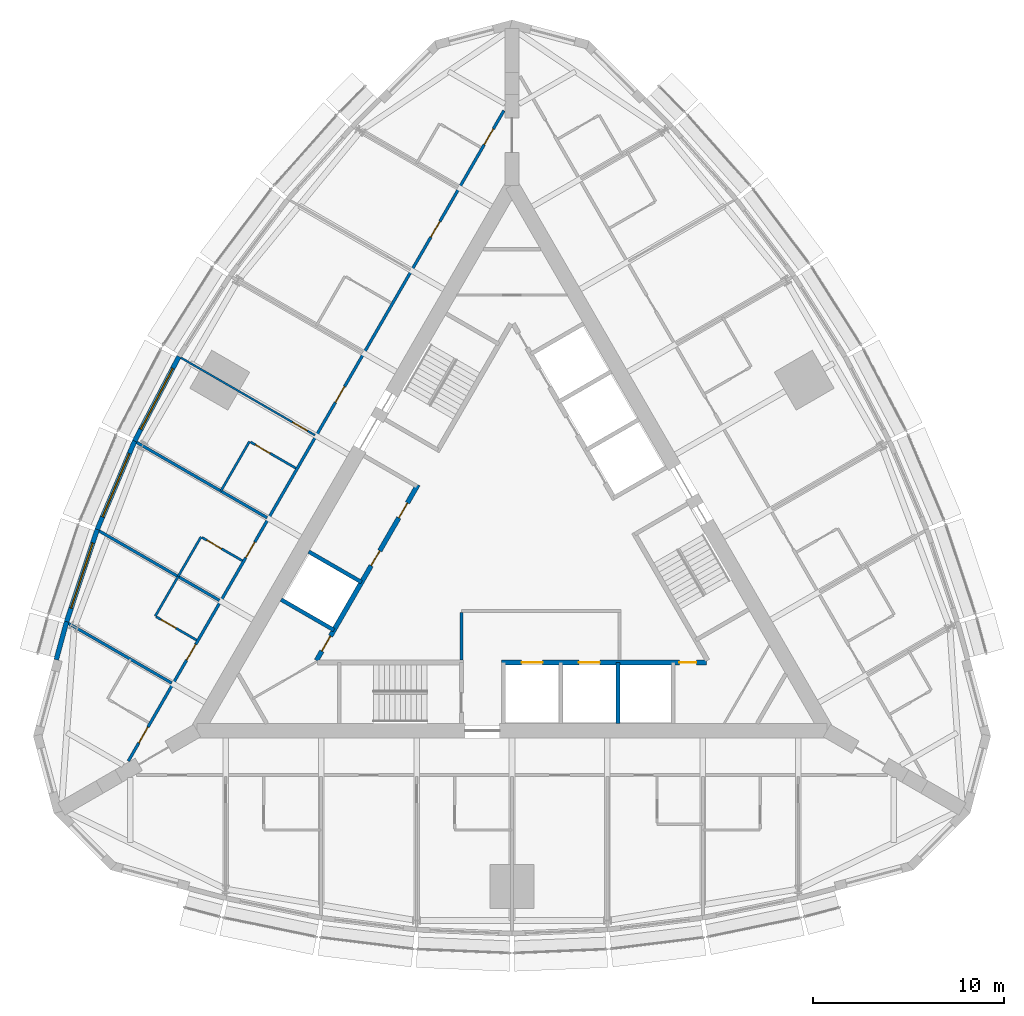
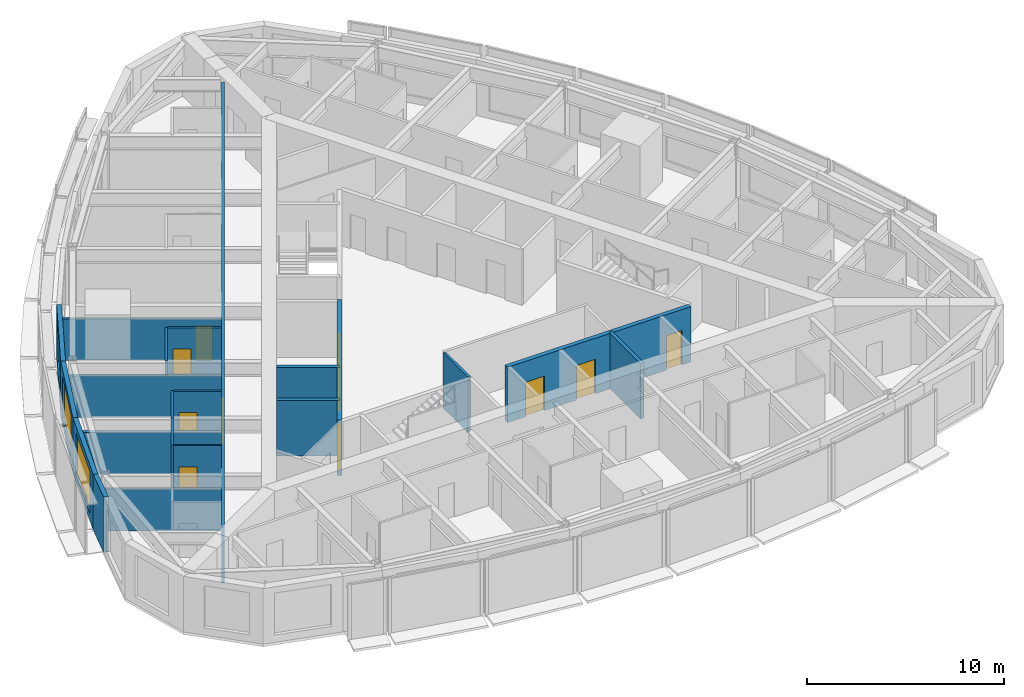
# One storey, part 10 of 15: 21 walls, 16 doors, 3 windows, 19 openings.
"""IFC4 building model written with IfcOpenShell, lengths in metres."""

from ifc_helpers import new_model, si_unit, direction, frame, frame_2d, origin, place, context, subcontext, project, spatial, rectangle, extrude, material, layer, layer_set, type_object, element, fill, save


model = new_model("IFC4")

# Units and contexts
model_context = context("Model", 3, precision=1e-05, world=origin(), true_north=direction((0.0, 1.0)))
body_context = subcontext(model_context, "Body", "Model", "MODEL_VIEW")
ifc_project = project(units=[si_unit("LENGTHUNIT", "METRE"), si_unit("AREAUNIT", "SQUARE_METRE"), si_unit("VOLUMEUNIT", "CUBIC_METRE"), si_unit("PLANEANGLEUNIT", "RADIAN"), si_unit("MASSUNIT", "GRAM", prefix="KILO")], contexts=[model_context])

# Site, building, storey
site_placement = place(None, origin())
site = spatial("IfcSite", under=ifc_project, at=site_placement, CompositionType="ELEMENT")
building_placement = place(site_placement, origin())
building = spatial("IfcBuilding", under=site, at=building_placement, Name="Trikona Tower", CompositionType="ELEMENT")
storey_placement = place(building_placement, frame((0.0, 0.0, 218.89990234375)))
storey = spatial("IfcBuildingStorey", under=building, at=storey_placement, Name="L58", CompositionType="ELEMENT", Elevation=218.89990234375)

# Wall
ifc_material_1 = material(Name="Metal stud and cement board", Category="gypsum")
ifc_layer_1 = layer(ifc_material_1, 0.1201171875)
ifc_layer_set_1 = layer_set([ifc_layer_1], Name="Bathroom wall 120")
wall_type_1 = type_object("IfcWallType", Name="Bathroom wall 120", PredefinedType="PLUMBINGWALL", material=ifc_layer_set_1)
wall_1_placement = place(storey_placement, frame((-13.75341796875, 5.631103515625, 0.0), z_axis=(0.0, 0.0, 1.0), x_axis=(-0.499990139034, -0.866031096941, 0.0)))
element("IfcWall", 1, at=wall_1_placement, inside=storey, type_object=wall_type_1, Name="Bathroom wall 5813.1", PredefinedType="PLUMBINGWALL", context=body_context, shape_type="SweptSolid", body=[
    extrude(rectangle(XDim=3.0, YDim=0.1201171875, at=frame_2d((1.5, 0.0))), origin(), (0.0, 0.0, 1.0), 3.43505859375),
])

# Wall, opening, door
wall_2_placement = place(storey_placement, frame((-11.32861328125, 4.231201171875, 0.0), z_axis=(0.0, 0.0, 1.0), x_axis=(-0.866035715982, 0.499982138324, 0.0)))
wall_2 = element("IfcWall", 2, at=wall_2_placement, inside=storey, type_object=wall_type_1, Name="Bathroom wall 5813.1", PredefinedType="PLUMBINGWALL", context=body_context, shape_type="SweptSolid", body=[
    extrude(rectangle(XDim=2.73974609375, YDim=0.1201171875, at=frame_2d((1.369873046875, 0.0))), origin(), (0.0, 0.0, 1.0), 3.43505859375),
])
opening_1_placement = place(wall_2_placement, frame((1.550048828125, 0.0, 0.0)))
opening_1 = element("IfcOpeningElement", 3, at=opening_1_placement, cuts=wall_2, Name="Opening D2", PredefinedType="OPENING", context=body_context, shape_type="SweptSolid", body=[
    extrude(rectangle(XDim=0.89990234375, YDim=2.1298828125, at=frame_2d((0.449951171875, 1.06494140625))), frame((0.0, 0.070068359375, 0.0), z_axis=(0.0, -1.0, 0.0), x_axis=(1.0, 0.0, 0.0)), (0.0, 0.0, 1.0), 0.14013671875),
])
ifc_material_2 = material(Name="Steel door frame with solid-core timber leaf", Category="steel")
door_type_1 = type_object("IfcDoorType", Name="Bathroom door 900x2130", OperationType="SLIDING_TO_LEFT", PredefinedType="DOOR", material=ifc_material_2)
door_1_placement = place(opening_1_placement, origin())
door_1 = element("IfcDoor", 4, at=door_1_placement, inside=storey, type_object=door_type_1, Name="Bathroom door 5813.1", OperationType="SLIDING_TO_LEFT", OverallHeight=2.1298828125, OverallWidth=0.89990234375, PredefinedType="DOOR", context=body_context, shape_type="SweptSolid", body=[
    extrude(rectangle(XDim=0.89990234375, YDim=2.1298828125, at=frame_2d((0.449951171875, 1.06494140625))), frame((0.0, 0.02490234375, 0.0), z_axis=(0.0, -1.0, 0.0), x_axis=(1.0, 0.0, 0.0)), (0.0, 0.0, 1.0), 0.050048828125),
])
fill(opening_1, door_1)

# Wall
wall_3_placement = place(storey_placement, frame((-16.29345703125, 0.63134765625, 0.0), z_axis=(0.0, 0.0, 1.0), x_axis=(-0.500001309137, -0.866024647952, 0.0)))
element("IfcWall", 5, at=wall_3_placement, inside=storey, type_object=wall_type_1, Name="Bathroom wall 5814", PredefinedType="PLUMBINGWALL", context=body_context, shape_type="SweptSolid", body=[
    extrude(rectangle(XDim=2.39990234375, YDim=0.1201171875, at=frame_2d((1.199951171875, 0.0))), origin(), (0.0, 0.0, 1.0), 3.43505859375),
])

# Wall, opening, door
wall_4_placement = place(storey_placement, frame((-14.12841796875, -0.61865234375, 0.0), z_axis=(0.0, 0.0, 1.0), x_axis=(-0.866048967903, 0.499959183527, 0.0)))
wall_4 = element("IfcWall", 6, at=wall_4_placement, inside=storey, type_object=wall_type_1, Name="Bathroom wall 5814", PredefinedType="PLUMBINGWALL", context=body_context, shape_type="SweptSolid", body=[
    extrude(rectangle(XDim=2.440185546875, YDim=0.1201171875, at=frame_2d((1.22021484375, 0.0))), origin(), (0.0, 0.0, 1.0), 3.43505859375),
])
opening_2_placement = place(wall_4_placement, frame((1.25, 0.0, 0.0)))
opening_2 = element("IfcOpeningElement", 7, at=opening_2_placement, cuts=wall_4, Name="Opening D2", PredefinedType="OPENING", context=body_context, shape_type="SweptSolid", body=[
    extrude(rectangle(XDim=0.89990234375, YDim=2.1298828125, at=frame_2d((0.449951171875, 1.06494140625))), frame((0.0, 0.070068359375, 0.0), z_axis=(0.0, -1.0, 0.0), x_axis=(1.0, 0.0, 0.0)), (0.0, 0.0, 1.0), 0.14013671875),
])
door_2_placement = place(opening_2_placement, origin())
door_2 = element("IfcDoor", 8, at=door_2_placement, inside=storey, type_object=door_type_1, Name="Bathroom door 5814", OperationType="SLIDING_TO_LEFT", OverallHeight=2.1298828125, OverallWidth=0.89990234375, PredefinedType="DOOR", context=body_context, shape_type="SweptSolid", body=[
    extrude(rectangle(XDim=0.89990234375, YDim=2.1298828125, at=frame_2d((0.449951171875, 1.06494140625))), frame((0.0, 0.02490234375, 0.0), z_axis=(0.0, -1.0, 0.0), x_axis=(1.0, 0.0, 0.0)), (0.0, 0.0, 1.0), 0.050048828125),
])
fill(opening_2, door_2)

# Wall
wall_5_placement = place(storey_placement, frame((-17.493408203125, -1.447021484375, 0.0), z_axis=(0.0, 0.0, 1.0), x_axis=(-0.500033551112, -0.866006032174, 0.0)))
element("IfcWall", 9, at=wall_5_placement, inside=storey, type_object=wall_type_1, Name="Bathroom wall 5815", PredefinedType="PLUMBINGWALL", context=body_context, shape_type="SweptSolid", body=[
    extrude(rectangle(XDim=2.400146484375, YDim=0.1201171875, at=frame_2d((1.2001953125, 0.0))), origin(), (0.0, 0.0, 1.0), 3.43505859375),
])

# Wall, opening, door
wall_6_placement = place(storey_placement, frame((-16.528564453125, -4.775634765625, 0.0), z_axis=(0.0, 0.0, 1.0), x_axis=(-0.866023955769, 0.500002508028, 0.0)))
wall_6 = element("IfcWall", 10, at=wall_6_placement, inside=storey, type_object=wall_type_1, Name="Bathroom wall 5815", PredefinedType="PLUMBINGWALL", context=body_context, shape_type="SweptSolid", body=[
    extrude(rectangle(XDim=2.43994140625, YDim=0.1201171875, at=frame_2d((1.219970703125, 0.0))), origin(), (0.0, 0.0, 1.0), 3.43505859375),
])
opening_3_placement = place(wall_6_placement, frame((1.25, 0.0, 0.0)))
opening_3 = element("IfcOpeningElement", 11, at=opening_3_placement, cuts=wall_6, Name="Opening D2", PredefinedType="OPENING", context=body_context, shape_type="SweptSolid", body=[
    extrude(rectangle(XDim=0.89990234375, YDim=2.1298828125, at=frame_2d((0.449951171875, 1.06494140625))), frame((0.0, 0.070068359375, 0.0), z_axis=(0.0, -1.0, 0.0), x_axis=(1.0, 0.0, 0.0)), (0.0, 0.0, 1.0), 0.14013671875),
])
door_3_placement = place(opening_3_placement, origin())
door_3 = element("IfcDoor", 12, at=door_3_placement, inside=storey, type_object=door_type_1, Name="Bathroom door 5815", OperationType="SLIDING_TO_LEFT", OverallHeight=2.1298828125, OverallWidth=0.89990234375, PredefinedType="DOOR", context=body_context, shape_type="SweptSolid", body=[
    extrude(rectangle(XDim=0.89990234375, YDim=2.1298828125, at=frame_2d((0.449951171875, 1.06494140625))), frame((0.0, 0.02490234375, 0.0), z_axis=(0.0, -1.0, 0.0), x_axis=(1.0, 0.0, 0.0)), (0.0, 0.0, 1.0), 0.050048828125),
])
fill(opening_3, door_3)

# Wall, openings, doors
ifc_material_3 = material(Name="Metal stud and gypsum board, 1-hour", Category="gypsum")
ifc_layer_2 = layer(ifc_material_3, 0.14990234375)
ifc_layer_set_2 = layer_set([ifc_layer_2], Name="Corridor wall 150")
wall_type_2 = type_object("IfcWallType", Name="Corridor wall 150", PredefinedType="PARTITIONING", material=ifc_layer_set_2)
wall_7_placement = place(storey_placement, frame((-0.425048828125, 22.96630859375, 0.0), z_axis=(0.0, 0.0, 1.0), x_axis=(-0.500000265775, -0.866025250339, 0.0)))
wall_7 = element("IfcWall", 13, at=wall_7_placement, inside=storey, type_object=wall_type_2, Name="Corridor wall L58-3", PredefinedType="PARTITIONING", context=body_context, shape_type="SweptSolid", body=[
    extrude(rectangle(XDim=39.35400390625, YDim=0.14990234375, at=frame_2d((19.677001953125, 0.0))), origin(), (0.0, 0.0, 1.0), 3.43505859375),
])
opening_4_placement = place(wall_7_placement, frame((1.10205078125, 0.0, 0.0)))
opening_4 = element("IfcOpeningElement", 14, at=opening_4_placement, cuts=wall_7, Name="Opening D1", PredefinedType="OPENING", context=body_context, shape_type="SweptSolid", body=[
    extrude(rectangle(XDim=0.949951171875, YDim=2.1298828125, at=frame_2d((0.47509765625, 1.06494140625))), frame((0.0, 0.0849609375, 0.0), z_axis=(0.0, -1.0, 0.0), x_axis=(1.0, 0.0, 0.0)), (0.0, 0.0, 1.0), 0.169921875),
])
opening_5_placement = place(wall_7_placement, frame((6.701904296875, 0.0, 0.0)))
opening_5 = element("IfcOpeningElement", 15, at=opening_5_placement, cuts=wall_7, Name="Opening D1", PredefinedType="OPENING", context=body_context, shape_type="SweptSolid", body=[
    extrude(rectangle(XDim=0.949951171875, YDim=2.1298828125, at=frame_2d((0.47509765625, 1.06494140625))), frame((0.0, 0.0849609375, 0.0), z_axis=(0.0, -1.0, 0.0), x_axis=(1.0, 0.0, 0.0)), (0.0, 0.0, 1.0), 0.169921875),
])
opening_6_placement = place(wall_7_placement, frame((16.701904296875, 0.0, 0.0)))
opening_6 = element("IfcOpeningElement", 16, at=opening_6_placement, cuts=wall_7, Name="Opening D1", PredefinedType="OPENING", context=body_context, shape_type="SweptSolid", body=[
    extrude(rectangle(XDim=0.949951171875, YDim=2.1298828125, at=frame_2d((0.47509765625, 1.06494140625))), frame((0.0, 0.0849609375, 0.0), z_axis=(0.0, -1.0, 0.0), x_axis=(1.0, 0.0, 0.0)), (0.0, 0.0, 1.0), 0.169921875),
])
opening_7_placement = place(wall_7_placement, frame((26.10205078125, 0.0, 0.0)))
opening_7 = element("IfcOpeningElement", 17, at=opening_7_placement, cuts=wall_7, Name="Opening D1", PredefinedType="OPENING", context=body_context, shape_type="SweptSolid", body=[
    extrude(rectangle(XDim=0.949951171875, YDim=2.1298828125, at=frame_2d((0.47509765625, 1.06494140625))), frame((0.0, 0.0849609375, 0.0), z_axis=(0.0, -1.0, 0.0), x_axis=(1.0, 0.0, 0.0)), (0.0, 0.0, 1.0), 0.169921875),
])
opening_8_placement = place(wall_7_placement, frame((32.302001953125, 0.0, 0.0)))
opening_8 = element("IfcOpeningElement", 18, at=opening_8_placement, cuts=wall_7, Name="Opening D1", PredefinedType="OPENING", context=body_context, shape_type="SweptSolid", body=[
    extrude(rectangle(XDim=0.949951171875, YDim=2.1298828125, at=frame_2d((0.47509765625, 1.06494140625))), frame((0.0, 0.0849609375, 0.0), z_axis=(0.0, -1.0, 0.0), x_axis=(1.0, 0.0, 0.0)), (0.0, 0.0, 1.0), 0.169921875),
])
opening_9_placement = place(wall_7_placement, frame((37.302001953125, 0.0, 0.0)))
opening_9 = element("IfcOpeningElement", 19, at=opening_9_placement, cuts=wall_7, Name="Opening D1", PredefinedType="OPENING", context=body_context, shape_type="SweptSolid", body=[
    extrude(rectangle(XDim=0.949951171875, YDim=2.1298828125, at=frame_2d((0.47509765625, 1.06494140625))), frame((0.0, 0.0849609375, 0.0), z_axis=(0.0, -1.0, 0.0), x_axis=(1.0, 0.0, 0.0)), (0.0, 0.0, 1.0), 0.169921875),
])
ifc_material_4 = material(Name="Steel door frame with solid-core timber leaf", Category="steel")
door_type_2 = type_object("IfcDoorType", Name="Guest room door 950x2130", OperationType="SINGLE_SWING_LEFT", PredefinedType="DOOR", material=ifc_material_4)
door_4_placement = place(opening_4_placement, origin())
door_4 = element("IfcDoor", 20, at=door_4_placement, inside=storey, type_object=door_type_2, Name="Room door 5811", OperationType="SINGLE_SWING_LEFT", OverallHeight=2.1298828125, OverallWidth=0.949951171875, PredefinedType="DOOR", context=body_context, shape_type="SweptSolid", body=[
    extrude(rectangle(XDim=0.949951171875, YDim=2.1298828125, at=frame_2d((0.47509765625, 1.06494140625))), frame((0.0, 0.02490234375, 0.0), z_axis=(0.0, -1.0, 0.0), x_axis=(1.0, 0.0, 0.0)), (0.0, 0.0, 1.0), 0.050048828125),
])
fill(opening_4, door_4)
door_5_placement = place(opening_5_placement, origin())
door_5 = element("IfcDoor", 21, at=door_5_placement, inside=storey, type_object=door_type_2, Name="Room door 5812", OperationType="SINGLE_SWING_RIGHT", OverallHeight=2.1298828125, OverallWidth=0.949951171875, PredefinedType="DOOR", context=body_context, shape_type="SweptSolid", body=[
    extrude(rectangle(XDim=0.949951171875, YDim=2.1298828125, at=frame_2d((0.47509765625, 1.06494140625))), frame((0.0, 0.02490234375, 0.0), z_axis=(0.0, -1.0, 0.0), x_axis=(1.0, 0.0, 0.0)), (0.0, 0.0, 1.0), 0.050048828125),
])
fill(opening_5, door_5)
door_6_placement = place(opening_6_placement, origin())
door_6 = element("IfcDoor", 22, at=door_6_placement, inside=storey, type_object=door_type_2, Name="Room door 5813", OperationType="SINGLE_SWING_LEFT", OverallHeight=2.1298828125, OverallWidth=0.949951171875, PredefinedType="DOOR", context=body_context, shape_type="SweptSolid", body=[
    extrude(rectangle(XDim=0.949951171875, YDim=2.1298828125, at=frame_2d((0.47509765625, 1.06494140625))), frame((0.0, 0.02490234375, 0.0), z_axis=(0.0, -1.0, 0.0), x_axis=(1.0, 0.0, 0.0)), (0.0, 0.0, 1.0), 0.050048828125),
])
fill(opening_6, door_6)
door_7_placement = place(opening_7_placement, origin())
door_7 = element("IfcDoor", 23, at=door_7_placement, inside=storey, type_object=door_type_2, Name="Room door 5814", OperationType="SINGLE_SWING_RIGHT", OverallHeight=2.1298828125, OverallWidth=0.949951171875, PredefinedType="DOOR", context=body_context, shape_type="SweptSolid", body=[
    extrude(rectangle(XDim=0.949951171875, YDim=2.1298828125, at=frame_2d((0.47509765625, 1.06494140625))), frame((0.0, 0.02490234375, 0.0), z_axis=(0.0, -1.0, 0.0), x_axis=(1.0, 0.0, 0.0)), (0.0, 0.0, 1.0), 0.050048828125),
])
fill(opening_7, door_7)
door_8_placement = place(opening_8_placement, origin())
door_8 = element("IfcDoor", 24, at=door_8_placement, inside=storey, type_object=door_type_2, Name="Room door 5815", OperationType="SINGLE_SWING_LEFT", OverallHeight=2.1298828125, OverallWidth=0.949951171875, PredefinedType="DOOR", context=body_context, shape_type="SweptSolid", body=[
    extrude(rectangle(XDim=0.949951171875, YDim=2.1298828125, at=frame_2d((0.47509765625, 1.06494140625))), frame((0.0, 0.02490234375, 0.0), z_axis=(0.0, -1.0, 0.0), x_axis=(1.0, 0.0, 0.0)), (0.0, 0.0, 1.0), 0.050048828125),
])
fill(opening_8, door_8)
door_9_placement = place(opening_9_placement, origin())
door_9 = element("IfcDoor", 25, at=door_9_placement, inside=storey, type_object=door_type_2, Name="Room door 5816", OperationType="SINGLE_SWING_RIGHT", OverallHeight=2.1298828125, OverallWidth=0.949951171875, PredefinedType="DOOR", context=body_context, shape_type="SweptSolid", body=[
    extrude(rectangle(XDim=0.949951171875, YDim=2.1298828125, at=frame_2d((0.47509765625, 1.06494140625))), frame((0.0, 0.02490234375, 0.0), z_axis=(0.0, -1.0, 0.0), x_axis=(1.0, 0.0, 0.0)), (0.0, 0.0, 1.0), 0.050048828125),
])
fill(opening_9, door_9)

ifc_material_5 = material(Name="Concrete f'c 8000 psi", Category="concrete")
ifc_layer_3 = layer(ifc_material_5, 0.25)
ifc_layer_set_3 = layer_set([ifc_layer_3], Name="Hub wall 250")
wall_type_3 = type_object("IfcWallType", Name="Hub wall 250", PredefinedType="SOLIDWALL", material=ifc_layer_set_3)
wall_8_placement = place(storey_placement, frame((-0.550048828125, -5.951416015625, 0.0), z_axis=(0.0, 0.0, 1.0), x_axis=(1.0, 0.0, 0.0)))
wall_8 = element("IfcWall", 26, at=wall_8_placement, inside=storey, type_object=wall_type_3, Name="Lift lobby wall A2", PredefinedType="SOLIDWALL", context=body_context, shape_type="SweptSolid", body=[
    extrude(rectangle(XDim=10.73291015625, YDim=0.25, at=frame_2d((5.366455078125, 0.0))), origin(), (0.0, 0.0, 1.0), 3.43505859375),
])
opening_10_placement = place(wall_8_placement, frame((9.31396484375, 0.0, 0.0)))
opening_10 = element("IfcOpeningElement", 27, at=opening_10_placement, cuts=wall_8, Name="Opening D14", PredefinedType="OPENING", context=body_context, shape_type="SweptSolid", body=[
    extrude(rectangle(XDim=0.89990234375, YDim=2.1298828125, at=frame_2d((0.449951171875, 1.06494140625))), frame((0.0, 0.135009765625, 0.0), z_axis=(0.0, -1.0, 0.0), x_axis=(1.0, 0.0, 0.0)), (0.0, 0.0, 1.0), 0.27001953125),
])
opening_11_placement = place(wall_8_placement, frame((1.050048828125, 0.0, 0.0)))
opening_11 = element("IfcOpeningElement", 28, at=opening_11_placement, cuts=wall_8, Name="Opening LD", PredefinedType="OPENING", context=body_context, shape_type="SweptSolid", body=[
    extrude(rectangle(XDim=1.10009765625, YDim=2.1298828125, at=frame_2d((0.550048828125, 1.06494140625))), frame((0.0, 0.135009765625, 0.0), z_axis=(0.0, -1.0, 0.0), x_axis=(1.0, 0.0, 0.0)), (0.0, 0.0, 1.0), 0.27001953125),
])
opening_12_placement = place(wall_8_placement, frame((4.050048828125, 0.0, 0.0)))
opening_12 = element("IfcOpeningElement", 29, at=opening_12_placement, cuts=wall_8, Name="Opening LD", PredefinedType="OPENING", context=body_context, shape_type="SweptSolid", body=[
    extrude(rectangle(XDim=1.10009765625, YDim=2.1298828125, at=frame_2d((0.550048828125, 1.06494140625))), frame((0.0, 0.135009765625, 0.0), z_axis=(0.0, -1.0, 0.0), x_axis=(1.0, 0.0, 0.0)), (0.0, 0.0, 1.0), 0.27001953125),
])
ifc_material_6 = material(Name="Stainless steel lift landing door", Category="steel")
door_type_3 = type_object("IfcDoorType", Name="Lift landing door 1100x2130", OperationType="DOUBLE_DOOR_SLIDING", PredefinedType="USERDEFINED", material=ifc_material_6)
door_10_placement = place(opening_11_placement, origin())
door_10 = element("IfcDoor", 30, at=door_10_placement, inside=storey, type_object=door_type_3, Name="Lift landing door FF1", ObjectType="LIFT LANDING DOOR", OperationType="DOUBLE_DOOR_SLIDING", OverallHeight=2.1298828125, OverallWidth=1.10009765625, PredefinedType="USERDEFINED", context=body_context, shape_type="SweptSolid", body=[
    extrude(rectangle(XDim=1.10009765625, YDim=2.1298828125, at=frame_2d((0.550048828125, 1.06494140625))), frame((0.0, 0.02490234375, 0.0), z_axis=(0.0, -1.0, 0.0), x_axis=(1.0, 0.0, 0.0)), (0.0, 0.0, 1.0), 0.050048828125),
])
fill(opening_11, door_10)
door_11_placement = place(opening_12_placement, origin())
door_11 = element("IfcDoor", 31, at=door_11_placement, inside=storey, type_object=door_type_3, Name="Lift landing door FF2", ObjectType="LIFT LANDING DOOR", OperationType="DOUBLE_DOOR_SLIDING", OverallHeight=2.1298828125, OverallWidth=1.10009765625, PredefinedType="USERDEFINED", context=body_context, shape_type="SweptSolid", body=[
    extrude(rectangle(XDim=1.10009765625, YDim=2.1298828125, at=frame_2d((0.550048828125, 1.06494140625))), frame((0.0, 0.02490234375, 0.0), z_axis=(0.0, -1.0, 0.0), x_axis=(1.0, 0.0, 0.0)), (0.0, 0.0, 1.0), 0.050048828125),
])
fill(opening_12, door_11)
ifc_material_7 = material(Name="Hollow metal door and frame", Category="steel")
door_type_4 = type_object("IfcDoorType", Name="Service room door 900x2130", OperationType="SINGLE_SWING_LEFT", PredefinedType="DOOR", material=ifc_material_7)
door_12_placement = place(opening_10_placement, origin())
door_12 = element("IfcDoor", 32, at=door_12_placement, inside=storey, type_object=door_type_4, Name="Door Housekeeping store HKS", OperationType="SINGLE_SWING_RIGHT", OverallHeight=2.1298828125, OverallWidth=0.89990234375, PredefinedType="DOOR", context=body_context, shape_type="SweptSolid", body=[
    extrude(rectangle(XDim=0.89990234375, YDim=2.1298828125, at=frame_2d((0.449951171875, 1.06494140625))), frame((0.0, 0.02490234375, 0.0), z_axis=(0.0, -1.0, 0.0), x_axis=(1.0, 0.0, 0.0)), (0.0, 0.0, 1.0), 0.050048828125),
])
fill(opening_10, door_12)

wall_9_placement = place(storey_placement, frame((-4.928955078125, 3.365478515625, 0.0), z_axis=(0.0, 0.0, 1.0), x_axis=(-0.499991433582, -0.866030349552, 0.0)))
wall_9 = element("IfcWall", 33, at=wall_9_placement, inside=storey, type_object=wall_type_3, Name="Lift lobby wall C2", PredefinedType="SOLIDWALL", context=body_context, shape_type="SweptSolid", body=[
    extrude(rectangle(XDim=10.633056640625, YDim=0.25, at=frame_2d((5.31640625, 0.0))), origin(), (0.0, 0.0, 1.0), 3.43505859375),
])
opening_13_placement = place(wall_9_placement, frame((9.1640625, 0.0, 0.0)))
opening_13 = element("IfcOpeningElement", 34, at=opening_13_placement, cuts=wall_9, Name="Opening D14", PredefinedType="OPENING", context=body_context, shape_type="SweptSolid", body=[
    extrude(rectangle(XDim=0.89990234375, YDim=2.1298828125, at=frame_2d((0.449951171875, 1.06494140625))), frame((0.0, 0.135009765625, 0.0), z_axis=(0.0, -1.0, 0.0), x_axis=(1.0, 0.0, 0.0)), (0.0, 0.0, 1.0), 0.27001953125),
])
opening_14_placement = place(wall_9_placement, frame((1.10009765625, 0.0, 0.0)))
opening_14 = element("IfcOpeningElement", 35, at=opening_14_placement, cuts=wall_9, Name="Opening D14", PredefinedType="OPENING", context=body_context, shape_type="SweptSolid", body=[
    extrude(rectangle(XDim=0.89990234375, YDim=2.1298828125, at=frame_2d((0.449951171875, 1.06494140625))), frame((0.0, 0.135009765625, 0.0), z_axis=(0.0, -1.0, 0.0), x_axis=(1.0, 0.0, 0.0)), (0.0, 0.0, 1.0), 0.27001953125),
])
opening_15_placement = place(wall_9_placement, frame((4.0, 0.0, 0.0)))
opening_15 = element("IfcOpeningElement", 36, at=opening_15_placement, cuts=wall_9, Name="Opening D14", PredefinedType="OPENING", context=body_context, shape_type="SweptSolid", body=[
    extrude(rectangle(XDim=0.89990234375, YDim=2.1298828125, at=frame_2d((0.449951171875, 1.06494140625))), frame((0.0, 0.135009765625, 0.0), z_axis=(0.0, -1.0, 0.0), x_axis=(1.0, 0.0, 0.0)), (0.0, 0.0, 1.0), 0.27001953125),
])
door_13_placement = place(opening_13_placement, origin())
door_13 = element("IfcDoor", 37, at=door_13_placement, inside=storey, type_object=door_type_4, Name="Door Ice and vending ICE", OperationType="SINGLE_SWING_RIGHT", OverallHeight=2.1298828125, OverallWidth=0.89990234375, PredefinedType="DOOR", context=body_context, shape_type="SweptSolid", body=[
    extrude(rectangle(XDim=0.89990234375, YDim=2.1298828125, at=frame_2d((0.449951171875, 1.06494140625))), frame((0.0, 0.02490234375, 0.0), z_axis=(0.0, -1.0, 0.0), x_axis=(1.0, 0.0, 0.0)), (0.0, 0.0, 1.0), 0.050048828125),
])
fill(opening_13, door_13)
door_14_placement = place(opening_14_placement, origin())
door_14 = element("IfcDoor", 38, at=door_14_placement, inside=storey, type_object=door_type_4, Name="Door Staff WC STW1", OperationType="SINGLE_SWING_LEFT", OverallHeight=2.1298828125, OverallWidth=0.89990234375, PredefinedType="DOOR", context=body_context, shape_type="SweptSolid", body=[
    extrude(rectangle(XDim=0.89990234375, YDim=2.1298828125, at=frame_2d((0.449951171875, 1.06494140625))), frame((0.0, 0.02490234375, 0.0), z_axis=(0.0, -1.0, 0.0), x_axis=(1.0, 0.0, 0.0)), (0.0, 0.0, 1.0), 0.050048828125),
])
fill(opening_14, door_14)
door_15_placement = place(opening_15_placement, origin())
door_15 = element("IfcDoor", 39, at=door_15_placement, inside=storey, type_object=door_type_4, Name="Door Staff WC STW1", OperationType="SINGLE_SWING_RIGHT", OverallHeight=2.1298828125, OverallWidth=0.89990234375, PredefinedType="DOOR", context=body_context, shape_type="SweptSolid", body=[
    extrude(rectangle(XDim=0.89990234375, YDim=2.1298828125, at=frame_2d((0.449951171875, 1.06494140625))), frame((0.0, 0.02490234375, 0.0), z_axis=(0.0, -1.0, 0.0), x_axis=(1.0, 0.0, 0.0)), (0.0, 0.0, 1.0), 0.050048828125),
])
fill(opening_15, door_15)

# Wall, opening, window
ifc_material_8 = material(Name="Insulated precast concrete spandrel panel", Category="concrete")
ifc_layer_4 = layer(ifc_material_8, 0.25)
ifc_layer_set_4 = layer_set([ifc_layer_4], Name="Inner skin wall 250")
wall_type_4 = type_object("IfcWallType", Name="Inner skin wall 250", PredefinedType="STANDARD", material=ifc_layer_set_4)
wall_10_placement = place(storey_placement, frame((-17.450439453125, 10.080810546875, 0.0), z_axis=(0.0, 0.0, 1.0), x_axis=(-0.463976002579, -0.885847768542, 0.0)))
wall_10 = element("IfcWall", 40, at=wall_10_placement, inside=storey, type_object=wall_type_4, Name="External wall L58-28", PredefinedType="STANDARD", context=body_context, shape_type="SweptSolid", body=[
    extrude(rectangle(XDim=5.004150390625, YDim=0.25, at=frame_2d((2.501953125, 0.0))), origin(), (0.0, 0.0, 1.0), 3.43505859375),
])
opening_16_placement = place(wall_10_placement, frame((0.7021484375, 0.0, 0.449951171875)))
opening_16 = element("IfcOpeningElement", 41, at=opening_16_placement, cuts=wall_10, Name="Opening W3626", PredefinedType="OPENING", context=body_context, shape_type="SweptSolid", body=[
    extrude(rectangle(XDim=3.60009765625, YDim=2.60009765625, at=frame_2d((1.800048828125, 1.300048828125))), frame((0.0, 0.135009765625, 0.0), z_axis=(0.0, -1.0, 0.0), x_axis=(1.0, 0.0, 0.0)), (0.0, 0.0, 1.0), 0.27001953125),
])
ifc_material_9 = material(Name="Aluminium-framed double glazing", Category="aluminium")
window_type = type_object("IfcWindowType", Name="Window 3600x2600", PartitioningType="SINGLE_PANEL", PredefinedType="WINDOW", material=ifc_material_9)
window_1_placement = place(opening_16_placement, origin())
window_1 = element("IfcWindow", 42, at=window_1_placement, inside=storey, type_object=window_type, Name="Window 5813.1", OverallHeight=2.60009765625, OverallWidth=3.60009765625, PartitioningType="SINGLE_PANEL", PredefinedType="WINDOW", context=body_context, shape_type="SweptSolid", body=[
    extrude(rectangle(XDim=3.60009765625, YDim=2.60009765625, at=frame_2d((1.800048828125, 1.300048828125))), frame((0.0, 0.030029296875, 0.0), z_axis=(0.0, -1.0, 0.0), x_axis=(1.0, 0.0, 0.0)), (0.0, 0.0, 1.0), 0.06005859375),
])
fill(opening_16, window_1)

wall_11_placement = place(storey_placement, frame((-19.767578125, 5.656982421875, 0.0), z_axis=(0.0, 0.0, 1.0), x_axis=(-0.390096809471, -0.920773848044, 0.0)))
wall_11 = element("IfcWall", 43, at=wall_11_placement, inside=storey, type_object=wall_type_4, Name="External wall L58-29", PredefinedType="STANDARD", context=body_context, shape_type="SweptSolid", body=[
    extrude(rectangle(XDim=5.0380859375, YDim=0.25, at=frame_2d((2.51904296875, 0.0))), origin(), (0.0, 0.0, 1.0), 3.43505859375),
])
opening_17_placement = place(wall_11_placement, frame((0.718994140625, 0.0, 0.449951171875)))
opening_17 = element("IfcOpeningElement", 44, at=opening_17_placement, cuts=wall_11, Name="Opening W3626", PredefinedType="OPENING", context=body_context, shape_type="SweptSolid", body=[
    extrude(rectangle(XDim=3.60009765625, YDim=2.60009765625, at=frame_2d((1.800048828125, 1.300048828125))), frame((0.0, 0.135009765625, 0.0), z_axis=(0.0, -1.0, 0.0), x_axis=(1.0, 0.0, 0.0)), (0.0, 0.0, 1.0), 0.27001953125),
])
window_2_placement = place(opening_17_placement, origin())
window_2 = element("IfcWindow", 45, at=window_2_placement, inside=storey, type_object=window_type, Name="Window 5814", OverallHeight=2.60009765625, OverallWidth=3.60009765625, PartitioningType="SINGLE_PANEL", PredefinedType="WINDOW", context=body_context, shape_type="SweptSolid", body=[
    extrude(rectangle(XDim=3.60009765625, YDim=2.60009765625, at=frame_2d((1.800048828125, 1.300048828125))), frame((0.0, 0.030029296875, 0.0), z_axis=(0.0, -1.0, 0.0), x_axis=(1.0, 0.0, 0.0)), (0.0, 0.0, 1.0), 0.06005859375),
])
fill(opening_17, window_2)

wall_12_placement = place(storey_placement, frame((-21.729248046875, 1.027587890625, 0.0), z_axis=(0.0, 0.0, 1.0), x_axis=(-0.315108478109, -0.949055660656, 0.0)))
wall_12 = element("IfcWall", 46, at=wall_12_placement, inside=storey, type_object=wall_type_4, Name="External wall L58-30", PredefinedType="STANDARD", context=body_context, shape_type="SweptSolid", body=[
    extrude(rectangle(XDim=5.10498046875, YDim=0.25, at=frame_2d((2.552490234375, 0.0))), origin(), (0.0, 0.0, 1.0), 3.43505859375),
])
opening_18_placement = place(wall_12_placement, frame((0.75244140625, 0.0, 0.449951171875)))
opening_18 = element("IfcOpeningElement", 47, at=opening_18_placement, cuts=wall_12, Name="Opening W3626", PredefinedType="OPENING", context=body_context, shape_type="SweptSolid", body=[
    extrude(rectangle(XDim=3.60009765625, YDim=2.60009765625, at=frame_2d((1.800048828125, 1.300048828125))), frame((0.0, 0.135009765625, 0.0), z_axis=(0.0, -1.0, 0.0), x_axis=(1.0, 0.0, 0.0)), (0.0, 0.0, 1.0), 0.27001953125),
])
window_3_placement = place(opening_18_placement, origin())
window_3 = element("IfcWindow", 48, at=window_3_placement, inside=storey, type_object=window_type, Name="Window 5815", OverallHeight=2.60009765625, OverallWidth=3.60009765625, PartitioningType="SINGLE_PANEL", PredefinedType="WINDOW", context=body_context, shape_type="SweptSolid", body=[
    extrude(rectangle(XDim=3.60009765625, YDim=2.60009765625, at=frame_2d((1.800048828125, 1.300048828125))), frame((0.0, 0.030029296875, 0.0), z_axis=(0.0, -1.0, 0.0), x_axis=(1.0, 0.0, 0.0)), (0.0, 0.0, 1.0), 0.06005859375),
])
fill(opening_18, window_3)

# Walls
wall_13_placement = place(storey_placement, frame((-23.335693359375, -3.810791015625, 0.0), z_axis=(0.0, 0.0, 1.0), x_axis=(-0.262867703986, -0.964831887015, 0.0)))
element("IfcWall", 49, at=wall_13_placement, inside=storey, type_object=wall_type_4, Name="External wall L58-31", PredefinedType="STANDARD", context=body_context, shape_type="SweptSolid", body=[
    extrude(rectangle(XDim=2.068359375, YDim=0.25, at=frame_2d((1.0341796875, 0.0))), origin(), (0.0, 0.0, 1.0), 3.43505859375),
])
ifc_material_10 = material(Name="Metal stud and gypsum board, 2-hour shaft wall", Category="gypsum")
ifc_layer_5 = layer(ifc_material_10, 0.14990234375)
ifc_layer_set_5 = layer_set([ifc_layer_5], Name="Lobby wall 150")
wall_type_5 = type_object("IfcWallType", Name="Lobby wall 150", PredefinedType="PARTITIONING", material=ifc_layer_set_5)
wall_14_placement = place(storey_placement, frame((-2.64990234375, -5.826416015625, 0.0), z_axis=(0.0, 0.0, 1.0), x_axis=(0.0, 1.0, 0.0)))
element("IfcWall", 50, at=wall_14_placement, inside=storey, type_object=wall_type_5, Name="Fire service lift lobby wall 2", PredefinedType="PARTITIONING", context=body_context, shape_type="SweptSolid", body=[
    extrude(rectangle(XDim=2.5, YDim=0.14990234375, at=frame_2d((1.25, 0.0))), origin(), (0.0, 0.0, 1.0), 3.43505859375),
])
ifc_material_11 = material(Name="Metal stud and gypsum board, 1-hour acoustic", Category="gypsum")
ifc_layer_6 = layer(ifc_material_11, 0.14990234375)
ifc_layer_set_6 = layer_set([ifc_layer_6], Name="Party wall 150")
wall_type_6 = type_object("IfcWallType", Name="Party wall 150", PredefinedType="PARTITIONING", material=ifc_layer_set_6)
wall_15_placement = place(storey_placement, frame((-12.82861328125, 1.633056640625, 0.0), z_axis=(0.0, 0.0, 1.0), x_axis=(-0.866030558329, 0.49999107196, 0.0)))
element("IfcWall", 51, at=wall_15_placement, inside=storey, type_object=wall_type_6, Name="Partition L58 F3 u5", PredefinedType="PARTITIONING", context=body_context, shape_type="SweptSolid", body=[
    extrude(rectangle(XDim=7.893798828125, YDim=0.14990234375, at=frame_2d((3.94677734375, 0.0))), origin(), (0.0, 0.0, 1.0), 2.58935546875),
])
wall_16_placement = place(storey_placement, frame((-15.32861328125, -2.697021484375, 0.0), z_axis=(0.0, 0.0, 1.0), x_axis=(-0.866032413668, 0.499987858329, 0.0)))
element("IfcWall", 52, at=wall_16_placement, inside=storey, type_object=wall_type_6, Name="Partition L58 F3 u10", PredefinedType="PARTITIONING", context=body_context, shape_type="SweptSolid", body=[
    extrude(rectangle(XDim=7.272705078125, YDim=0.14990234375, at=frame_2d((3.63623046875, 0.0))), origin(), (0.0, 0.0, 1.0), 2.58935546875),
])
wall_17_placement = place(storey_placement, frame((-17.82861328125, -7.027099609375, 0.0), z_axis=(0.0, 0.0, 1.0), x_axis=(-0.866026604282, 0.499997920671, 0.0)))
element("IfcWall", 53, at=wall_17_placement, inside=storey, type_object=wall_type_6, Name="Partition L58 F3 u15", PredefinedType="PARTITIONING", context=body_context, shape_type="SweptSolid", body=[
    extrude(rectangle(XDim=6.23974609375, YDim=0.14990234375, at=frame_2d((3.119873046875, 0.0))), origin(), (0.0, 0.0, 1.0), 2.58935546875),
])
ifc_material_12 = material(Name="Concrete f'c 8000 psi", Category="concrete")
ifc_layer_7 = layer(ifc_material_12, 0.199951171875)
ifc_layer_set_7 = layer_set([ifc_layer_7], Name="Shaft wall 200")
wall_type_7 = type_object("IfcWallType", Name="Shaft wall 200", PredefinedType="SOLIDWALL", material=ifc_layer_set_7)
for number, where, z_axis, x_axis, name in (
    (54, (5.550048828125, -5.951416015625, 0.0), (0.0, 0.0, 1.0), (0.0, -1.0, 0.0), "Shaft wall A5"),
    (55, (-7.87890625, -1.744140625, 0.0), (0.0, 0.0, 1.0), (-0.866042017984, 0.499971222258, 0.0), "Shaft wall C5"),
):
    element("IfcWall", number, at=place(storey_placement, frame(where, z_axis=z_axis, x_axis=x_axis)), inside=storey, type_object=wall_type_7, Name=name, PredefinedType="SOLIDWALL", context=body_context, shape_type="SweptSolid", body=[
        extrude(rectangle(XDim=3.199951171875, YDim=0.199951171875, at=frame_2d((1.60009765625, 0.0))), origin(), (0.0, 0.0, 1.0), 3.43505859375),
    ])
wall_18_placement = place(storey_placement, frame((-9.3291015625, -4.255615234375, 0.0), z_axis=(0.0, 0.0, 1.0), x_axis=(-0.866022944154, 0.50000426018, 0.0)))
element("IfcWall", 56, at=wall_18_placement, inside=storey, type_object=wall_type_7, Name="Shaft wall C6", PredefinedType="SOLIDWALL", context=body_context, shape_type="SweptSolid", body=[
    extrude(rectangle(XDim=3.19970703125, YDim=0.199951171875, at=frame_2d((1.599853515625, 0.0))), origin(), (0.0, 0.0, 1.0), 3.43505859375),
])

# Wall, opening, door
ifc_material_13 = material(Name="Metal stud and gypsum board, acoustic", Category="gypsum")
ifc_layer_8 = layer(ifc_material_13, 0.10009765625)
ifc_layer_set_8 = layer_set([ifc_layer_8], Name="Suite partition 100")
wall_type_8 = type_object("IfcWallType", Name="Suite partition 100", PredefinedType="PARTITIONING", material=ifc_layer_set_8)
wall_19_placement = place(storey_placement, frame((-10.32861328125, 5.963134765625, 0.0), z_axis=(0.0, 0.0, 1.0), x_axis=(-0.866016460812, 0.500015489362, 0.0)))
wall_19 = element("IfcWall", 57, at=wall_19_placement, inside=storey, type_object=wall_type_8, Name="Suite partition L58 F3 u0", PredefinedType="PARTITIONING", context=body_context, shape_type="SweptSolid", body=[
    extrude(rectangle(XDim=8.101318359375, YDim=0.10009765625, at=frame_2d((4.05078125, 0.0))), origin(), (0.0, 0.0, 1.0), 2.58935546875),
])
opening_19_placement = place(wall_19_placement, frame((0.449951171875, 0.0, 0.0)))
opening_19 = element("IfcOpeningElement", 58, at=opening_19_placement, cuts=wall_19, Name="Opening D13", PredefinedType="OPENING", context=body_context, shape_type="SweptSolid", body=[
    extrude(rectangle(XDim=0.89990234375, YDim=2.1298828125, at=frame_2d((0.449951171875, 1.06494140625))), frame((0.0, 0.06005859375, 0.0), z_axis=(0.0, -1.0, 0.0), x_axis=(1.0, 0.0, 0.0)), (0.0, 0.0, 1.0), 0.1201171875),
])
ifc_material_14 = material(Name="Steel door frame with solid-core timber leaf", Category="steel")
door_type_5 = type_object("IfcDoorType", Name="Suite door 900x2130", OperationType="SINGLE_SWING_LEFT", PredefinedType="DOOR", material=ifc_material_14)
door_16_placement = place(opening_19_placement, origin())
door_16 = element("IfcDoor", 59, at=door_16_placement, inside=storey, type_object=door_type_5, Name="Suite door 5813", OperationType="SINGLE_SWING_LEFT", OverallHeight=2.1298828125, OverallWidth=0.89990234375, PredefinedType="DOOR", context=body_context, shape_type="SweptSolid", body=[
    extrude(rectangle(XDim=0.89990234375, YDim=2.1298828125, at=frame_2d((0.449951171875, 1.06494140625))), frame((0.0, 0.02490234375, 0.0), z_axis=(0.0, -1.0, 0.0), x_axis=(1.0, 0.0, 0.0)), (0.0, 0.0, 1.0), 0.050048828125),
])
fill(opening_19, door_16)

save(model, "model.ifc")
